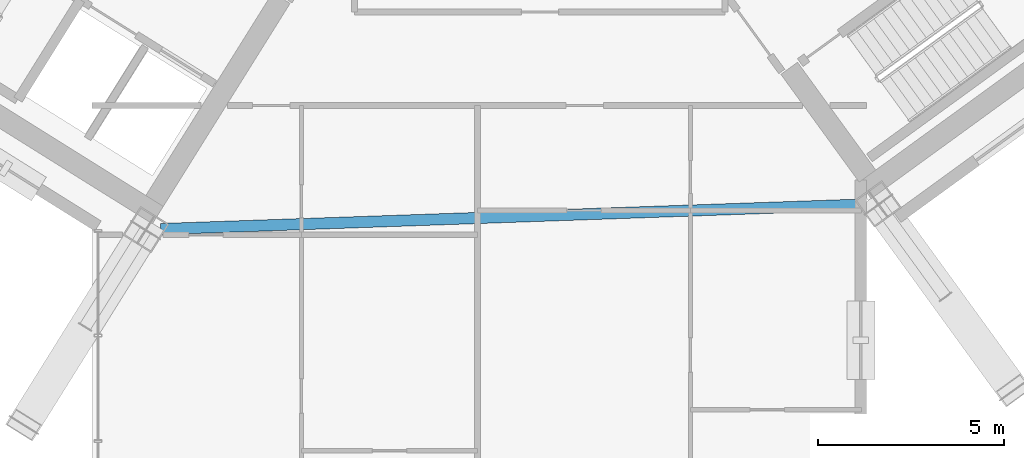
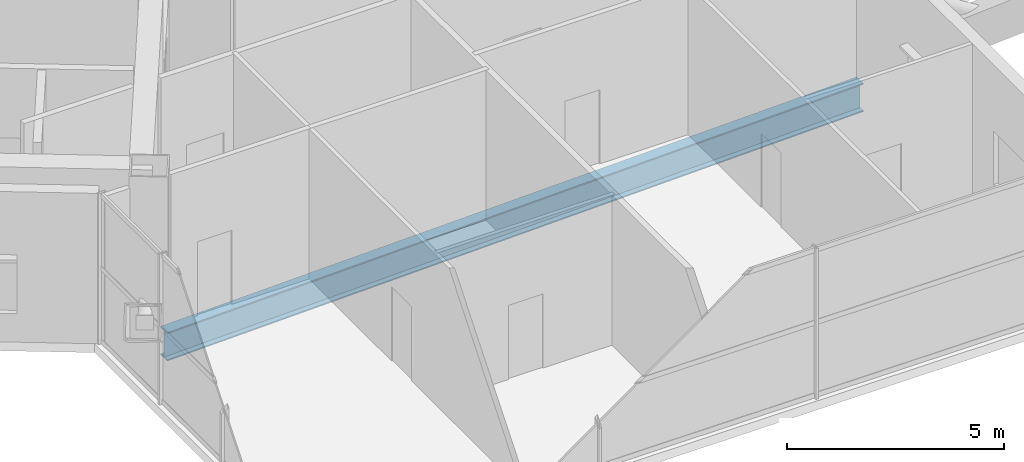
# One storey, part 9 of 32: 1 beam.
"""IFC4 building model written with IfcOpenShell, lengths in metres."""

from ifc_helpers import new_model, si_unit, direction, frame, origin, origin_2d, place, context, subcontext, project, spatial, i_section, extrude, source, transform, mapped, material, material_profile, profile_set, type_object, element, save


model = new_model("IFC4")

# Units and contexts
model_context = context("Model", 3, precision=1e-05, world=origin(), true_north=direction((0.0, 1.0)))
body_context = subcontext(model_context, "Body", "Model", "MODEL_VIEW")
ifc_project = project(units=[si_unit("LENGTHUNIT", "METRE"), si_unit("AREAUNIT", "SQUARE_METRE"), si_unit("VOLUMEUNIT", "CUBIC_METRE"), si_unit("PLANEANGLEUNIT", "RADIAN"), si_unit("MASSUNIT", "GRAM", prefix="KILO")], contexts=[model_context])

# Site, building, storey
site_placement = place(None, origin())
site = spatial("IfcSite", under=ifc_project, at=site_placement, CompositionType="ELEMENT")
building_placement = place(site_placement, origin())
building = spatial("IfcBuilding", under=site, at=building_placement, Name="Tlacorven Tower", CompositionType="ELEMENT")
storey_placement = place(building_placement, frame((0.0, 0.0, 123.300048828125)))
storey = spatial("IfcBuildingStorey", under=building, at=storey_placement, Name="L31", CompositionType="ELEMENT", Elevation=123.300048828125)

# Beam
ifc_material = material(Name="Steel S355J2", Category="steel")
ifc_material_profile = material_profile(ifc_material, i_section(OverallWidth=0.300048828125, OverallDepth=0.800048828125, WebThickness=0.017578125, FlangeThickness=0.032958984375, at=origin_2d()), Name="HEB 800")
ifc_profile_set = profile_set([ifc_material_profile], Name="Steel S355J2")
beam_type = type_object("IfcBeamType", Name="BM-POD-800", PredefinedType="BEAM", material=ifc_profile_set)
shared_shape = source(origin(), body_context, "Body", "SweptSolid", [
    extrude(i_section(OverallWidth=0.300048828125, OverallDepth=0.800048828125, WebThickness=0.017578125, FlangeThickness=0.032958984375, at=origin_2d()), origin(), (0.0, 0.0, 1.0), 18.871337890625),
])
beam_placement = place(storey_placement, frame((33.44580078125, 12.100830078125, -0.650146484375), z_axis=(0.999390659804, 0.034904284792, 0.0), x_axis=(-0.034904284792, 0.999390659804, 0.0)))
element("IfcBeam", 1, at=beam_placement, inside=storey, type_object=beam_type, Name="L31 Knuckle Link Girder 2", PredefinedType="BEAM", context=body_context, shape_type="MappedRepresentation", body=[
    mapped(shared_shape, transform((0.0, 0.0, 0.0), scale=1.0)),
])

save(model, "model.ifc")
